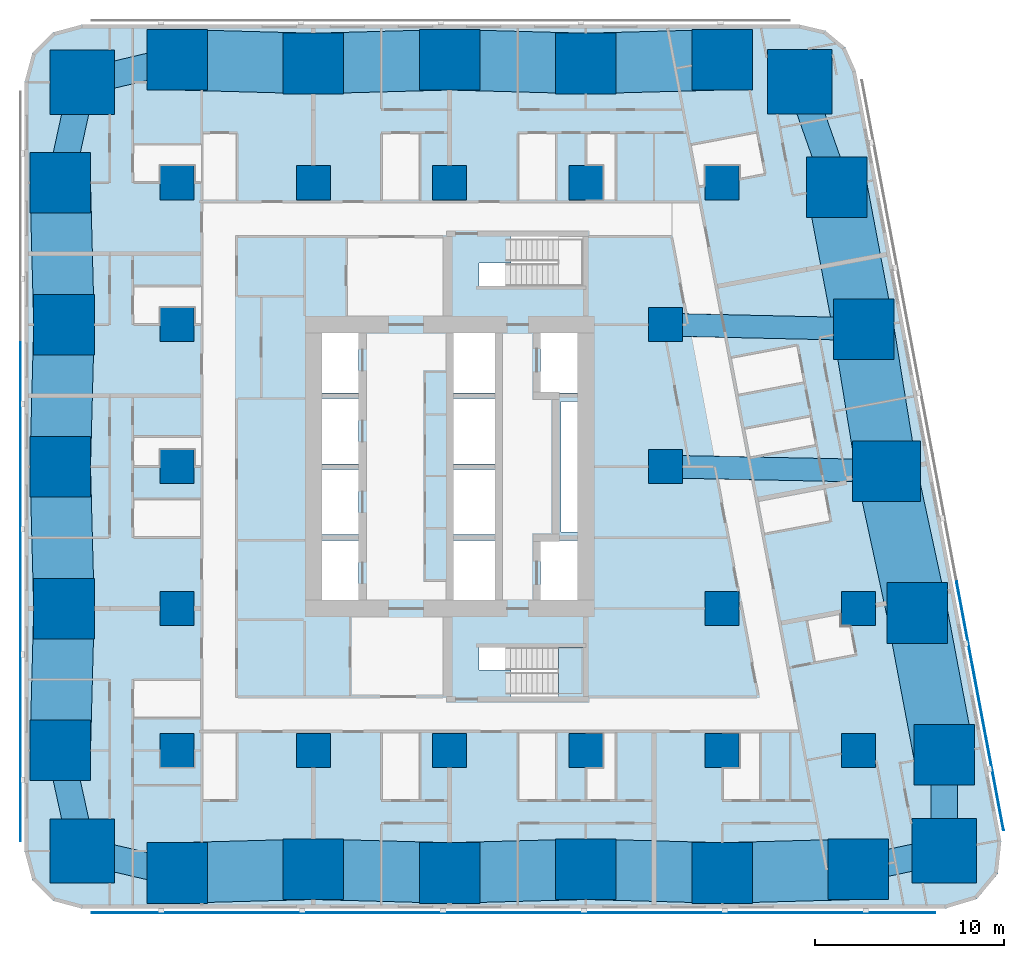
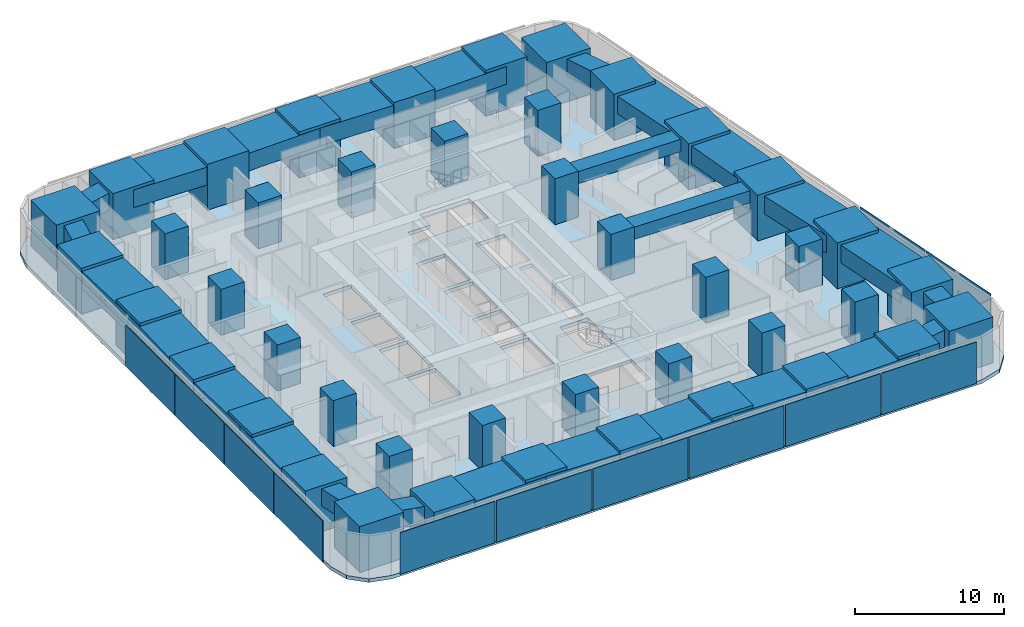
# One storey, part 1 of 18: 43 columns, 26 beams, 12 plates, 2 slabs, 1 element without a shape of its own.
"""IFC4 building model written with IfcOpenShell, lengths in metres."""

from ifc_helpers import new_model, si_unit, direction, frame, origin, origin_2d, place, context, subcontext, project, spatial, polyline, rectangle, hollow_rectangle, outline, extrude, material, layer, layer_set, material_profile, profile_set, type_object, element, aggregate, save


model = new_model("IFC4")

# Units and contexts
model_context = context("Model", 3, precision=1e-05, world=origin(), true_north=direction((0.0, 1.0)))
body_context = subcontext(model_context, "Body", "Model", "MODEL_VIEW")
ifc_project = project(units=[si_unit("LENGTHUNIT", "METRE"), si_unit("AREAUNIT", "SQUARE_METRE"), si_unit("VOLUMEUNIT", "CUBIC_METRE"), si_unit("PLANEANGLEUNIT", "RADIAN"), si_unit("MASSUNIT", "GRAM", prefix="KILO")], contexts=[model_context])

# Site, building, storey
site_placement = place(None, origin())
site = spatial("IfcSite", under=ifc_project, at=site_placement, CompositionType="ELEMENT")
building_placement = place(site_placement, origin())
building = spatial("IfcBuilding", under=site, at=building_placement, Name="Sheger Commons Tower", CompositionType="ELEMENT")
storey_placement = place(building_placement, frame((0.0, 0.0, 20.0)))
storey = spatial("IfcBuildingStorey", under=building, at=storey_placement, Name="L04", CompositionType="ELEMENT", Elevation=20.0)

# Columns
ifc_material_1 = material(Name="Concrete C50/60", Category="concrete")
ifc_material_profile_1 = material_profile(ifc_material_1, rectangle(XDim=3.60009765625, YDim=3.199951171875, at=origin_2d()), Name="RC 3600x3200")
ifc_profile_set_1 = profile_set([ifc_material_profile_1], Name="Concrete C50/60")
column_type_1 = type_object("IfcColumnType", Name="COLUMN PIER RC 3600x3200", PredefinedType="COLUMN", material=ifc_profile_set_1)
column_1_placement = place(storey_placement, frame((44.697021484375, 22.262939453125, 0.0), z_axis=(0.0, 0.0, 1.0), x_axis=(1.0, 0.0, 0.0)))
element("IfcColumn", 1, at=column_1_placement, inside=storey, type_object=column_type_1, Name="Pier 7/D+E/D L04", PredefinedType="COLUMN", context=body_context, shape_type="SweptSolid", body=[
    extrude(rectangle(XDim=3.60009765625, YDim=3.199951171875, at=origin_2d()), origin(), (0.0, 0.0, 1.0), 3.75),
])
ifc_material_2 = material(Name="Concrete C50/60", Category="concrete")
ifc_material_profile_2 = material_profile(ifc_material_2, rectangle(XDim=1.800048828125, YDim=1.800048828125, at=origin_2d()), Name="RC 1800x1800")
ifc_profile_set_2 = profile_set([ifc_material_profile_2], Name="Concrete C50/60")
column_type_2 = type_object("IfcColumnType", Name="COLUMN RC 1800x1800", PredefinedType="COLUMN", material=ifc_profile_set_2)
for number, where, z_axis, x_axis, name in (
    (2, (7.199951171875, 7.5, 0.0), (0.0, 0.0, 1.0), (1.0, 0.0, 0.0), "Column 2/B L04"),
    (3, (14.39990234375, 7.5, 0.0), (0.0, 0.0, 1.0), (1.0, 0.0, 0.0), "Column 3/B L04"),
    (4, (21.60009765625, 7.5, 0.0), (0.0, 0.0, 1.0), (1.0, 0.0, 0.0), "Column 4/B L04"),
    (5, (28.800048828125, 7.5, 0.0), (0.0, 0.0, 1.0), (1.0, 0.0, 0.0), "Column 5/B L04"),
    (6, (36.0, 7.5, 0.0), (0.0, 0.0, 1.0), (1.0, 0.0, 0.0), "Column 6/B L04"),
    (7, (43.199951171875, 7.5, 0.0), (0.0, 0.0, 1.0), (1.0, 0.0, 0.0), "Column 7/B L04"),
    (8, (7.199951171875, 15.0, 0.0), (0.0, 0.0, 1.0), (1.0, 0.0, 0.0), "Column 2/C L04"),
    (9, (36.0, 15.0, 0.0), (0.0, 0.0, 1.0), (1.0, 0.0, 0.0), "Column 6/C L04"),
    (10, (43.199951171875, 15.0, 0.0), (0.0, 0.0, 1.0), (1.0, 0.0, 0.0), "Column 7/C L04"),
    (11, (7.199951171875, 22.5, 0.0), (0.0, 0.0, 1.0), (1.0, 0.0, 0.0), "Column 2/D L04"),
    (12, (33.0, 22.5, 0.0), (0.0, 0.0, 1.0), (1.0, 0.0, 0.0), "Column 6-3000/D L04"),
    (13, (7.199951171875, 30.0, 0.0), (0.0, 0.0, 1.0), (1.0, 0.0, 0.0), "Column 2/E L04"),
    (14, (33.0, 30.0, 0.0), (0.0, 0.0, 1.0), (1.0, 0.0, 0.0), "Column 6-3000/E L04"),
    (15, (7.199951171875, 37.5, 0.0), (0.0, 0.0, 1.0), (1.0, 0.0, 0.0), "Column 2/F L04"),
    (16, (14.39990234375, 37.5, 0.0), (0.0, 0.0, 1.0), (1.0, 0.0, 0.0), "Column 3/F L04"),
    (17, (21.60009765625, 37.5, 0.0), (0.0, 0.0, 1.0), (1.0, 0.0, 0.0), "Column 4/F L04"),
    (18, (28.800048828125, 37.5, 0.0), (0.0, 0.0, 1.0), (1.0, 0.0, 0.0), "Column 5/F L04"),
    (19, (36.0, 37.5, 0.0), (0.0, 0.0, 1.0), (1.0, 0.0, 0.0), "Column 6/F L04"),
):
    element("IfcColumn", number, at=place(storey_placement, frame(where, z_axis=z_axis, x_axis=x_axis)), inside=storey, type_object=column_type_2, Name=name, PredefinedType="COLUMN", context=body_context, shape_type="SweptSolid", body=[
        extrude(rectangle(XDim=1.800048828125, YDim=1.800048828125, at=origin_2d()), origin(), (0.0, 0.0, 1.0), 3.75),
    ])
ifc_material_3 = material(Name="Concrete C50/60", Category="concrete")
ifc_material_profile_3 = material_profile(ifc_material_3, rectangle(XDim=3.199951171875, YDim=3.199951171875, at=origin_2d()), Name="RC 3200x3200")
ifc_profile_set_3 = profile_set([ifc_material_profile_3], Name="Concrete C50/60")
column_type_3 = type_object("IfcColumnType", Name="COLUMN RC 3200x3200", PredefinedType="COLUMN", material=ifc_profile_set_3)
column_2_placement = place(storey_placement, frame((7.199951171875, 1.02490234375, -0.300048828125), z_axis=(0.0, 0.0, 1.0), x_axis=(1.0, 0.0, 0.0)))
element("IfcColumn", 20, at=column_2_placement, inside=storey, type_object=column_type_3, Name="Column 2/A L04", PredefinedType="COLUMN", context=body_context, shape_type="SweptSolid", body=[
    extrude(rectangle(XDim=3.199951171875, YDim=3.199951171875, at=origin_2d()), origin(), (0.0, 0.0, 1.0), 4.050048828125),
])
column_3_placement = place(storey_placement, frame((14.39990234375, 1.22509765625, 0.0), z_axis=(0.0, 0.0, 1.0), x_axis=(1.0, 0.0, 0.0)))
element("IfcColumn", 21, at=column_3_placement, inside=storey, type_object=column_type_3, Name="Column 3/A L04", PredefinedType="COLUMN", context=body_context, shape_type="SweptSolid", body=[
    extrude(rectangle(XDim=3.199951171875, YDim=3.199951171875, at=origin_2d()), origin(), (0.0, 0.0, 1.0), 3.75),
])
column_4_placement = place(storey_placement, frame((21.60009765625, 1.02490234375, -0.300048828125), z_axis=(0.0, 0.0, 1.0), x_axis=(1.0, 0.0, 0.0)))
element("IfcColumn", 22, at=column_4_placement, inside=storey, type_object=column_type_3, Name="Column 4/A L04", PredefinedType="COLUMN", context=body_context, shape_type="SweptSolid", body=[
    extrude(rectangle(XDim=3.199951171875, YDim=3.199951171875, at=origin_2d()), origin(), (0.0, 0.0, 1.0), 4.050048828125),
])
column_5_placement = place(storey_placement, frame((28.800048828125, 1.22509765625, 0.0), z_axis=(0.0, 0.0, 1.0), x_axis=(1.0, 0.0, 0.0)))
element("IfcColumn", 23, at=column_5_placement, inside=storey, type_object=column_type_3, Name="Column 5/A L04", PredefinedType="COLUMN", context=body_context, shape_type="SweptSolid", body=[
    extrude(rectangle(XDim=3.199951171875, YDim=3.199951171875, at=origin_2d()), origin(), (0.0, 0.0, 1.0), 3.75),
])
column_6_placement = place(storey_placement, frame((36.0, 1.02490234375, -0.300048828125), z_axis=(0.0, 0.0, 1.0), x_axis=(1.0, 0.0, 0.0)))
element("IfcColumn", 24, at=column_6_placement, inside=storey, type_object=column_type_3, Name="Column 6/A L04", PredefinedType="COLUMN", context=body_context, shape_type="SweptSolid", body=[
    extrude(rectangle(XDim=3.199951171875, YDim=3.199951171875, at=origin_2d()), origin(), (0.0, 0.0, 1.0), 4.050048828125),
])
column_7_placement = place(storey_placement, frame((43.199951171875, 1.22509765625, 0.0), z_axis=(0.0, 0.0, 1.0), x_axis=(1.0, 0.0, 0.0)))
element("IfcColumn", 25, at=column_7_placement, inside=storey, type_object=column_type_3, Name="Column 7/A L04", PredefinedType="COLUMN", context=body_context, shape_type="SweptSolid", body=[
    extrude(rectangle(XDim=3.199951171875, YDim=3.199951171875, at=origin_2d()), origin(), (0.0, 0.0, 1.0), 3.75),
])
for number, where, z_axis, x_axis, name in (
    (26, (1.02490234375, 7.5, -0.300048828125), (0.0, 0.0, 1.0), (1.0, 0.0, 0.0), "Column 1/B L04"),
    (27, (47.72998046875, 7.262939453125, -0.300048828125), (0.0, 0.0, 1.0), (1.0, 0.0, 0.0), "Column E/B L04"),
):
    element("IfcColumn", number, at=place(storey_placement, frame(where, z_axis=z_axis, x_axis=x_axis)), inside=storey, type_object=column_type_3, Name=name, PredefinedType="COLUMN", context=body_context, shape_type="SweptSolid", body=[
        extrude(rectangle(XDim=3.199951171875, YDim=3.199951171875, at=origin_2d()), origin(), (0.0, 0.0, 1.0), 4.050048828125),
    ])
for number, where, z_axis, x_axis, name in (
    (28, (1.22509765625, 15.0, 0.0), (0.0, 0.0, 1.0), (1.0, 0.0, 0.0), "Column 1/C L04"),
    (29, (46.31396484375, 14.762939453125, 0.0), (0.0, 0.0, 1.0), (1.0, 0.0, 0.0), "Column E/C L04"),
):
    element("IfcColumn", number, at=place(storey_placement, frame(where, z_axis=z_axis, x_axis=x_axis)), inside=storey, type_object=column_type_3, Name=name, PredefinedType="COLUMN", context=body_context, shape_type="SweptSolid", body=[
        extrude(rectangle(XDim=3.199951171875, YDim=3.199951171875, at=origin_2d()), origin(), (0.0, 0.0, 1.0), 3.75),
    ])
column_8_placement = place(storey_placement, frame((1.02490234375, 22.5, -0.300048828125), z_axis=(0.0, 0.0, 1.0), x_axis=(1.0, 0.0, 0.0)))
element("IfcColumn", 30, at=column_8_placement, inside=storey, type_object=column_type_3, Name="Column 1/D L04", PredefinedType="COLUMN", context=body_context, shape_type="SweptSolid", body=[
    extrude(rectangle(XDim=3.199951171875, YDim=3.199951171875, at=origin_2d()), origin(), (0.0, 0.0, 1.0), 4.050048828125),
])
for number, where, z_axis, x_axis, name in (
    (31, (1.22509765625, 30.0, 0.0), (0.0, 0.0, 1.0), (1.0, 0.0, 0.0), "Column 1/E L04"),
    (32, (43.47998046875, 29.762939453125, 0.0), (0.0, 0.0, 1.0), (1.0, 0.0, 0.0), "Column E/E L04"),
):
    element("IfcColumn", number, at=place(storey_placement, frame(where, z_axis=z_axis, x_axis=x_axis)), inside=storey, type_object=column_type_3, Name=name, PredefinedType="COLUMN", context=body_context, shape_type="SweptSolid", body=[
        extrude(rectangle(XDim=3.199951171875, YDim=3.199951171875, at=origin_2d()), origin(), (0.0, 0.0, 1.0), 3.75),
    ])
for number, where, z_axis, x_axis, name in (
    (33, (1.02490234375, 37.5, -0.300048828125), (0.0, 0.0, 1.0), (1.0, 0.0, 0.0), "Column 1/F L04"),
    (34, (42.06396484375, 37.262939453125, -0.300048828125), (0.0, 0.0, 1.0), (1.0, 0.0, 0.0), "Column E/F L04"),
    (35, (7.199951171875, 44.0, -0.300048828125), (0.0, 0.0, 1.0), (1.0, 0.0, 0.0), "Column 2/G L04"),
):
    element("IfcColumn", number, at=place(storey_placement, frame(where, z_axis=z_axis, x_axis=x_axis)), inside=storey, type_object=column_type_3, Name=name, PredefinedType="COLUMN", context=body_context, shape_type="SweptSolid", body=[
        extrude(rectangle(XDim=3.199951171875, YDim=3.199951171875, at=origin_2d()), origin(), (0.0, 0.0, 1.0), 4.050048828125),
    ])
column_9_placement = place(storey_placement, frame((14.39990234375, 43.800048828125, 0.0), z_axis=(0.0, 0.0, 1.0), x_axis=(1.0, 0.0, 0.0)))
element("IfcColumn", 36, at=column_9_placement, inside=storey, type_object=column_type_3, Name="Column 3/G L04", PredefinedType="COLUMN", context=body_context, shape_type="SweptSolid", body=[
    extrude(rectangle(XDim=3.199951171875, YDim=3.199951171875, at=origin_2d()), origin(), (0.0, 0.0, 1.0), 3.75),
])
column_10_placement = place(storey_placement, frame((21.60009765625, 44.0, -0.300048828125), z_axis=(0.0, 0.0, 1.0), x_axis=(1.0, 0.0, 0.0)))
element("IfcColumn", 37, at=column_10_placement, inside=storey, type_object=column_type_3, Name="Column 4/G L04", PredefinedType="COLUMN", context=body_context, shape_type="SweptSolid", body=[
    extrude(rectangle(XDim=3.199951171875, YDim=3.199951171875, at=origin_2d()), origin(), (0.0, 0.0, 1.0), 4.050048828125),
])
column_11_placement = place(storey_placement, frame((28.800048828125, 43.800048828125, 0.0), z_axis=(0.0, 0.0, 1.0), x_axis=(1.0, 0.0, 0.0)))
element("IfcColumn", 38, at=column_11_placement, inside=storey, type_object=column_type_3, Name="Column 5/G L04", PredefinedType="COLUMN", context=body_context, shape_type="SweptSolid", body=[
    extrude(rectangle(XDim=3.199951171875, YDim=3.199951171875, at=origin_2d()), origin(), (0.0, 0.0, 1.0), 3.75),
])
column_12_placement = place(storey_placement, frame((36.0, 44.0, -0.300048828125), z_axis=(0.0, 0.0, 1.0), x_axis=(1.0, 0.0, 0.0)))
element("IfcColumn", 39, at=column_12_placement, inside=storey, type_object=column_type_3, Name="Column 6/G L04", PredefinedType="COLUMN", context=body_context, shape_type="SweptSolid", body=[
    extrude(rectangle(XDim=3.199951171875, YDim=3.199951171875, at=origin_2d()), origin(), (0.0, 0.0, 1.0), 4.050048828125),
])
ifc_material_4 = material(Name="Concrete C50/60", Category="concrete")
ifc_material_profile_4 = material_profile(ifc_material_4, rectangle(XDim=3.39990234375, YDim=3.39990234375, at=origin_2d()), Name="RC 3400x3400")
ifc_profile_set_4 = profile_set([ifc_material_profile_4], Name="Concrete C50/60")
column_type_4 = type_object("IfcColumnType", Name="COLUMN RC 3400x3400", PredefinedType="COLUMN", material=ifc_profile_set_4)
for number, where, z_axis, x_axis, name in (
    (40, (2.18603515625, 2.18603515625, 0.0), (0.0, 0.0, 1.0), (1.0, 0.0, 0.0), "Column 0.630,0.630 L04"),
    (41, (47.748046875, 2.197021484375, 0.0), (0.0, 0.0, 1.0), (1.0, 0.0, 0.0), "Column 49.461,0.778 L04"),
    (42, (2.18603515625, 42.81396484375, 0.0), (0.0, 0.0, 1.0), (1.0, 0.0, 0.0), "Column 0.630,44.370 L04"),
    (43, (40.10205078125, 42.830078125, 0.0), (0.0, 0.0, 1.0), (1.0, 0.0, 0.0), "Column 41.490,44.505 L04"),
):
    element("IfcColumn", number, at=place(storey_placement, frame(where, z_axis=z_axis, x_axis=x_axis)), inside=storey, type_object=column_type_4, Name=name, PredefinedType="COLUMN", context=body_context, shape_type="SweptSolid", body=[
        extrude(rectangle(XDim=3.39990234375, YDim=3.39990234375, at=origin_2d()), origin(), (0.0, 0.0, 1.0), 3.75),
    ])

# Beams
ifc_material_5 = material(Name="Concrete C50/60", Category="concrete")
ifc_material_profile_5 = material_profile(ifc_material_5, rectangle(XDim=1.199951171875, YDim=1.0, at=origin_2d()), Name="RC 1200x1000")
ifc_profile_set_5 = profile_set([ifc_material_profile_5], Name="Concrete C50/60")
beam_type_1 = type_object("IfcBeamType", Name="BEAM RC 1200x1000", PredefinedType="BEAM", material=ifc_profile_set_5)
beam_1_placement = place(storey_placement, frame((33.0, 22.5, 3.0), z_axis=(0.999794692776, -0.02026258368, 0.0), x_axis=(0.02026258368, 0.999794692776, 0.0)))
element("IfcBeam", 44, at=beam_1_placement, inside=storey, type_object=beam_type_1, Name="Beam 6-3000/D-7/D under L05", PredefinedType="BEAM", context=body_context, shape_type="SweptSolid", body=[
    extrude(rectangle(XDim=1.199951171875, YDim=1.0, at=origin_2d()), origin(), (0.0, 0.0, 1.0), 11.699462890625),
])
beam_2_placement = place(storey_placement, frame((33.0, 30.0, 3.0), z_axis=(0.999744258625, -0.022614538395, 0.0), x_axis=(0.022614538395, 0.999744258625, 0.0)))
element("IfcBeam", 45, at=beam_2_placement, inside=storey, type_object=beam_type_1, Name="Beam 6-3000/E-E/E under L05", PredefinedType="BEAM", context=body_context, shape_type="SweptSolid", body=[
    extrude(rectangle(XDim=1.199951171875, YDim=1.0, at=origin_2d()), origin(), (0.0, 0.0, 1.0), 10.482666015625),
])
ifc_material_6 = material(Name="Concrete C50/60", Category="concrete")
ifc_material_profile_6 = material_profile(ifc_material_6, rectangle(XDim=3.199951171875, YDim=1.449951171875, at=origin_2d()), Name="RC 3200x1450")
ifc_profile_set_6 = profile_set([ifc_material_profile_6], Name="Concrete C50/60")
beam_type_2 = type_object("IfcBeamType", Name="SPANDREL RC 3200x1450", PredefinedType="SPANDREL", material=ifc_profile_set_6)
beam_3_placement = place(storey_placement, frame((7.199951171875, 1.02490234375, 2.77490234375), z_axis=(0.9996136624, 0.027794350926, 0.0), x_axis=(-0.027794350926, 0.9996136624, 0.0)))
element("IfcBeam", 46, at=beam_3_placement, inside=storey, type_object=beam_type_2, Name="Beam 2/A-3/A under L05", PredefinedType="SPANDREL", context=body_context, shape_type="SweptSolid", body=[
    extrude(rectangle(XDim=3.199951171875, YDim=1.449951171875, at=origin_2d()), origin(), (0.0, 0.0, 1.0), 7.20263671875),
])
beam_4_placement = place(storey_placement, frame((14.39990234375, 1.22509765625, 2.77490234375), z_axis=(0.999613688584, -0.027793409217, 0.0), x_axis=(0.027793409217, 0.999613688584, 0.0)))
element("IfcBeam", 47, at=beam_4_placement, inside=storey, type_object=beam_type_2, Name="Beam 3/A-4/A under L05", PredefinedType="SPANDREL", context=body_context, shape_type="SweptSolid", body=[
    extrude(rectangle(XDim=3.199951171875, YDim=1.449951171875, at=origin_2d()), origin(), (0.0, 0.0, 1.0), 7.202880859375),
])
for number, where, z_axis, x_axis, name in (
    (48, (21.60009765625, 1.02490234375, 2.77490234375), (0.9996136624, 0.027794350926, 0.0), (-0.027794350926, 0.9996136624, 0.0), "Beam 4/A-5/A under L05"),
    (49, (28.800048828125, 1.22509765625, 2.77490234375), (0.9996136624, -0.027794350926, 0.0), (0.027794350926, 0.9996136624, 0.0), "Beam 5/A-6/A under L05"),
    (50, (36.0, 1.02490234375, 2.77490234375), (0.9996136624, 0.027794350926, 0.0), (-0.027794350926, 0.9996136624, 0.0), "Beam 6/A-7/A under L05"),
):
    element("IfcBeam", number, at=place(storey_placement, frame(where, z_axis=z_axis, x_axis=x_axis)), inside=storey, type_object=beam_type_2, Name=name, PredefinedType="SPANDREL", context=body_context, shape_type="SweptSolid", body=[
        extrude(rectangle(XDim=3.199951171875, YDim=1.449951171875, at=origin_2d()), origin(), (0.0, 0.0, 1.0), 7.20263671875),
    ])
beam_5_placement = place(storey_placement, frame((47.72998046875, 7.262939453125, 2.77490234375), z_axis=(-0.18552441405, 0.982639655108, 0.0), x_axis=(-0.982639655108, -0.18552441405, 0.0)))
element("IfcBeam", 51, at=beam_5_placement, inside=storey, type_object=beam_type_2, Name="Beam E/B-E/C under L05", PredefinedType="SPANDREL", context=body_context, shape_type="SweptSolid", body=[
    extrude(rectangle(XDim=3.199951171875, YDim=1.449951171875, at=origin_2d()), origin(), (0.0, 0.0, 1.0), 7.632568359375),
])
beam_6_placement = place(storey_placement, frame((46.31396484375, 14.762939453125, 2.77490234375), z_axis=(-0.210750229323, 0.977539943348, 0.0), x_axis=(-0.977539943348, -0.210750229323, 0.0)))
element("IfcBeam", 52, at=beam_6_placement, inside=storey, type_object=beam_type_2, Name="Beam E/C-E/D under L05", PredefinedType="SPANDREL", context=body_context, shape_type="SweptSolid", body=[
    extrude(rectangle(XDim=3.199951171875, YDim=1.449951171875, at=origin_2d()), origin(), (0.0, 0.0, 1.0), 7.67236328125),
])
beam_7_placement = place(storey_placement, frame((44.697021484375, 22.262939453125, 2.77490234375), z_axis=(-0.160176929512, 0.987088319884, 0.0), x_axis=(-0.987088319884, -0.160176929512, 0.0)))
element("IfcBeam", 53, at=beam_7_placement, inside=storey, type_object=beam_type_2, Name="Beam E/D-E/E under L05", PredefinedType="SPANDREL", context=body_context, shape_type="SweptSolid", body=[
    extrude(rectangle(XDim=3.199951171875, YDim=1.449951171875, at=origin_2d()), origin(), (0.0, 0.0, 1.0), 7.59814453125),
])
beam_8_placement = place(storey_placement, frame((43.47998046875, 29.762939453125, 2.77490234375), z_axis=(-0.18552441405, 0.982639655108, 0.0), x_axis=(-0.982639655108, -0.18552441405, 0.0)))
element("IfcBeam", 54, at=beam_8_placement, inside=storey, type_object=beam_type_2, Name="Beam E/E-E/F under L05", PredefinedType="SPANDREL", context=body_context, shape_type="SweptSolid", body=[
    extrude(rectangle(XDim=3.199951171875, YDim=1.449951171875, at=origin_2d()), origin(), (0.0, 0.0, 1.0), 7.632568359375),
])
for number, where, z_axis, x_axis, name in (
    (55, (36.0, 44.0, 2.77490234375), (-0.999614603568, -0.027760481514, 0.0), (0.027760481514, -0.999614603568, 0.0), "Beam 6/G-5/G under L05"),
    (56, (28.800048828125, 43.800048828125, 2.77490234375), (-0.999614603568, 0.027760481514, 0.0), (-0.027760481514, -0.999614603568, 0.0), "Beam 5/G-4/G under L05"),
):
    element("IfcBeam", number, at=place(storey_placement, frame(where, z_axis=z_axis, x_axis=x_axis)), inside=storey, type_object=beam_type_2, Name=name, PredefinedType="SPANDREL", context=body_context, shape_type="SweptSolid", body=[
        extrude(rectangle(XDim=3.199951171875, YDim=1.449951171875, at=origin_2d()), origin(), (0.0, 0.0, 1.0), 7.20263671875),
    ])
beam_9_placement = place(storey_placement, frame((21.60009765625, 44.0, 2.77490234375), z_axis=(-0.999614629688, -0.027759540951, 0.0), x_axis=(0.027759540951, -0.999614629688, 0.0)))
element("IfcBeam", 57, at=beam_9_placement, inside=storey, type_object=beam_type_2, Name="Beam 4/G-3/G under L05", PredefinedType="SPANDREL", context=body_context, shape_type="SweptSolid", body=[
    extrude(rectangle(XDim=3.199951171875, YDim=1.449951171875, at=origin_2d()), origin(), (0.0, 0.0, 1.0), 7.202880859375),
])
beam_10_placement = place(storey_placement, frame((14.39990234375, 43.800048828125, 2.77490234375), z_axis=(-0.999614603568, 0.027760481514, 0.0), x_axis=(-0.027760481514, -0.999614603568, 0.0)))
element("IfcBeam", 58, at=beam_10_placement, inside=storey, type_object=beam_type_2, Name="Beam 3/G-2/G under L05", PredefinedType="SPANDREL", context=body_context, shape_type="SweptSolid", body=[
    extrude(rectangle(XDim=3.199951171875, YDim=1.449951171875, at=origin_2d()), origin(), (0.0, 0.0, 1.0), 7.20263671875),
])
for number, where, z_axis, x_axis, name in (
    (59, (1.02490234375, 37.5, 2.77490234375), (0.026683204125, -0.999643939919, 0.0), (0.999643939919, 0.026683204125, 0.0), "Beam 1/F-1/E under L05"),
    (60, (1.22509765625, 30.0, 2.77490234375), (-0.026683204125, -0.999643939919, 0.0), (0.999643939919, -0.026683204125, 0.0), "Beam 1/E-1/D under L05"),
    (61, (1.02490234375, 22.5, 2.77490234375), (0.026683204125, -0.999643939919, 0.0), (0.999643939919, 0.026683204125, 0.0), "Beam 1/D-1/C under L05"),
    (62, (1.22509765625, 15.0, 2.77490234375), (-0.026683204125, -0.999643939919, 0.0), (0.999643939919, -0.026683204125, 0.0), "Beam 1/C-1/B under L05"),
):
    element("IfcBeam", number, at=place(storey_placement, frame(where, z_axis=z_axis, x_axis=x_axis)), inside=storey, type_object=beam_type_2, Name=name, PredefinedType="SPANDREL", context=body_context, shape_type="SweptSolid", body=[
        extrude(rectangle(XDim=3.199951171875, YDim=1.449951171875, at=origin_2d()), origin(), (0.0, 0.0, 1.0), 7.502685546875),
    ])
ifc_material_7 = material(Name="Steel S355", Category="steel")
ifc_material_profile_7 = material_profile(ifc_material_7, hollow_rectangle(XDim=1.39990234375, YDim=1.39990234375, WallThickness=0.10009765625, at=origin_2d()), Name="BOX 1400x1400x100")
ifc_profile_set_7 = profile_set([ifc_material_profile_7], Name="Steel S355")
beam_type_3 = type_object("IfcBeamType", Name="STEEL SPANDREL BOX 1400x1400x100", PredefinedType="SPANDREL", material=ifc_profile_set_7)
beam_11_placement = place(storey_placement, frame((2.18603515625, 2.18603515625, 2.800048828125), z_axis=(0.974217413499, -0.225611239159, 0.0), x_axis=(0.225611239159, 0.974217413499, 0.0)))
element("IfcBeam", 63, at=beam_11_placement, inside=storey, type_object=beam_type_3, Name="Beam 0.630,0.630-2/A under L05", PredefinedType="SPANDREL", context=body_context, shape_type="SweptSolid", body=[
    extrude(hollow_rectangle(XDim=1.39990234375, YDim=1.39990234375, WallThickness=0.10009765625, at=origin_2d()), origin(), (0.0, 0.0, 1.0), 5.146728515625),
])
beam_12_placement = place(storey_placement, frame((43.199951171875, 1.22509765625, 2.800048828125), z_axis=(0.977919796671, 0.208980552394, 0.0), x_axis=(-0.208980552394, 0.977919796671, 0.0)))
element("IfcBeam", 64, at=beam_12_placement, inside=storey, type_object=beam_type_3, Name="Beam 7/A-49.461,0.778 under L05", PredefinedType="SPANDREL", context=body_context, shape_type="SweptSolid", body=[
    extrude(hollow_rectangle(XDim=1.39990234375, YDim=1.39990234375, WallThickness=0.10009765625, at=origin_2d()), origin(), (0.0, 0.0, 1.0), 4.65087890625),
])
beam_13_placement = place(storey_placement, frame((47.748046875, 2.197021484375, 2.800048828125), z_axis=(-0.003566242382, 0.999993640937, 0.0), x_axis=(-0.999993640937, -0.003566242382, 0.0)))
element("IfcBeam", 65, at=beam_13_placement, inside=storey, type_object=beam_type_3, Name="Beam 49.461,0.778-E/B under L05", PredefinedType="SPANDREL", context=body_context, shape_type="SweptSolid", body=[
    extrude(hollow_rectangle(XDim=1.39990234375, YDim=1.39990234375, WallThickness=0.10009765625, at=origin_2d()), origin(), (0.0, 0.0, 1.0), 5.06591796875),
])
beam_14_placement = place(storey_placement, frame((42.06396484375, 37.262939453125, 2.800048828125), z_axis=(-0.332374403357, 0.943147526102, 0.0), x_axis=(-0.943147526102, -0.332374403357, 0.0)))
element("IfcBeam", 66, at=beam_14_placement, inside=storey, type_object=beam_type_3, Name="Beam E/F-41.490,44.505 under L05", PredefinedType="SPANDREL", context=body_context, shape_type="SweptSolid", body=[
    extrude(hollow_rectangle(XDim=1.39990234375, YDim=1.39990234375, WallThickness=0.10009765625, at=origin_2d()), origin(), (0.0, 0.0, 1.0), 5.90283203125),
])
beam_15_placement = place(storey_placement, frame((7.199951171875, 44.0, 2.800048828125), z_axis=(-0.97314428949, -0.230195985701, 0.0), x_axis=(0.230195985701, -0.97314428949, 0.0)))
element("IfcBeam", 67, at=beam_15_placement, inside=storey, type_object=beam_type_3, Name="Beam 2/G-0.630,44.370 under L05", PredefinedType="SPANDREL", context=body_context, shape_type="SweptSolid", body=[
    extrude(hollow_rectangle(XDim=1.39990234375, YDim=1.39990234375, WallThickness=0.10009765625, at=origin_2d()), origin(), (0.0, 0.0, 1.0), 5.15234375),
])
for number, where, z_axis, x_axis, name in (
    (68, (2.18603515625, 42.81396484375, 2.800048828125), (-0.213469314652, -0.976949769283, 0.0), (0.976949769283, -0.213469314652, 0.0), "Beam 0.630,44.370-1/F under L05"),
    (69, (1.02490234375, 7.5, 2.800048828125), (0.213469314652, -0.976949769283, 0.0), (0.976949769283, 0.213469314652, 0.0), "Beam 1/B-0.630,0.630 under L05"),
):
    element("IfcBeam", number, at=place(storey_placement, frame(where, z_axis=z_axis, x_axis=x_axis)), inside=storey, type_object=beam_type_3, Name=name, PredefinedType="SPANDREL", context=body_context, shape_type="SweptSolid", body=[
        extrude(hollow_rectangle(XDim=1.39990234375, YDim=1.39990234375, WallThickness=0.10009765625, at=origin_2d()), origin(), (0.0, 0.0, 1.0), 5.439453125),
    ])

# Slab
ifc_material_8 = material(Name="Concrete C35/45", Category="concrete")
ifc_layer_1 = layer(ifc_material_8, 0.300048828125)
ifc_layer_set_1 = layer_set([ifc_layer_1], Name="SLAB FLOOR 300")
slab_type_1 = type_object("IfcSlabType", Name="SLAB FLOOR 300", PredefinedType="FLOOR", material=ifc_layer_set_1)
slab_1_placement = place(storey_placement, frame((0.0, 0.0, -0.300048828125)))
element("IfcSlab", 70, at=slab_1_placement, inside=storey, type_object=slab_type_1, Name="L04 floor slab", PredefinedType="FLOOR", context=body_context, shape_type="SweptSolid", body=[
    extrude(outline(polyline([(-0.85009765625, 2.14990234375), (-0.447998046875, 0.64990234375), (0.64990234375, -0.447998046875), (2.14990234375, -0.85009765625), (47.805908203125, -0.85009765625), (49.465087890625, -0.35009765625), (50.570068359375, 0.98388671875), (50.75390625, 2.70703125), (43.06591796875, 43.406982421875), (42.509033203125, 44.660888671875), (41.452880859375, 45.535888671875), (40.117919921875, 45.85009765625), (2.14990234375, 45.85009765625), (0.64990234375, 45.447998046875), (-0.447998046875, 44.35009765625), (-0.85009765625, 42.85009765625), (-0.85009765625, 2.14990234375)]), holes=[polyline([(24.85009765625, 10.35009765625), (28.64990234375, 10.35009765625), (28.64990234375, 12.949951171875), (23.15087890625, 12.949951171875), (23.15087890625, 11.75), (24.85009765625, 11.75), (24.85009765625, 10.35009765625)]), polyline([(23.15087890625, 32.050048828125), (28.64990234375, 32.050048828125), (28.64990234375, 34.64990234375), (24.85009765625, 34.64990234375), (24.85009765625, 33.25), (23.15087890625, 33.25), (23.15087890625, 32.050048828125)]), polyline([(26.39990234375, 15.14990234375), (28.60009765625, 15.14990234375), (28.60009765625, 18.60009765625), (26.39990234375, 18.60009765625), (26.39990234375, 15.14990234375)]), polyline([(26.39990234375, 26.39990234375), (28.60009765625, 26.39990234375), (28.60009765625, 29.85009765625), (26.39990234375, 29.85009765625), (26.39990234375, 26.39990234375)]), polyline([(14.60009765625, 15.14990234375), (16.800048828125, 15.14990234375), (16.800048828125, 18.60009765625), (14.60009765625, 18.60009765625), (14.60009765625, 15.14990234375)]), polyline([(14.60009765625, 18.89990234375), (16.800048828125, 18.89990234375), (16.800048828125, 22.35009765625), (14.60009765625, 22.35009765625), (14.60009765625, 18.89990234375)]), polyline([(14.60009765625, 22.64990234375), (16.800048828125, 22.64990234375), (16.800048828125, 26.10009765625), (14.60009765625, 26.10009765625), (14.60009765625, 22.64990234375)]), polyline([(14.60009765625, 26.39990234375), (16.800048828125, 26.39990234375), (16.800048828125, 29.85009765625), (14.60009765625, 29.85009765625), (14.60009765625, 26.39990234375)]), polyline([(21.800048828125, 15.14990234375), (24.0, 15.14990234375), (24.0, 18.60009765625), (21.800048828125, 18.60009765625), (21.800048828125, 15.14990234375)]), polyline([(21.800048828125, 18.89990234375), (24.0, 18.89990234375), (24.0, 22.35009765625), (21.800048828125, 22.35009765625), (21.800048828125, 18.89990234375)]), polyline([(21.800048828125, 22.64990234375), (24.0, 22.64990234375), (24.0, 26.10009765625), (21.800048828125, 26.10009765625), (21.800048828125, 22.64990234375)]), polyline([(21.800048828125, 26.39990234375), (24.0, 26.39990234375), (24.0, 29.85009765625), (21.800048828125, 29.85009765625), (21.800048828125, 26.39990234375)]), polyline([(27.5, 19.050048828125), (28.5, 19.050048828125), (28.5, 25.949951171875), (27.5, 25.949951171875), (27.5, 19.050048828125)])]), origin(), (0.0, 0.0, 1.0), 0.300048828125),
])

# Plates
ifc_material_9 = material(Name="Perforated black anodised aluminium screen", Category="aluminium")
ifc_layer_2 = layer(ifc_material_9, 0.050048828125)
ifc_layer_set_2 = layer_set([ifc_layer_2], Name="SOLAR SCREEN SCREEN-1")
plate_type = type_object("IfcPlateType", Name="SOLAR SCREEN SCREEN-1", PredefinedType="USERDEFINED", material=ifc_layer_set_2)
for number, where, z_axis, x_axis, name in (
    (71, (6.37109375, -1.074951171875, 0.050048828125), (0.0, 0.0, 1.0), (1.0, 0.0, 0.0), "Perforated solar screen panel"),
    (72, (13.81396484375, -1.074951171875, 0.050048828125), (0.0, 0.0, 1.0), (1.0, 0.0, 0.0), "Perforated solar screen panel"),
    (73, (21.257080078125, -1.074951171875, 0.050048828125), (0.0, 0.0, 1.0), (1.0, 0.0, 0.0), "Perforated solar screen panel"),
    (74, (28.698974609375, -1.074951171875, 0.050048828125), (0.0, 0.0, 1.0), (1.0, 0.0, 0.0), "Perforated solar screen panel"),
    (75, (36.14208984375, -1.074951171875, 0.050048828125), (0.0, 0.0, 1.0), (1.0, 0.0, 0.0), "Perforated solar screen panel"),
    (76, (43.5849609375, -1.074951171875, 0.050048828125), (0.0, 0.0, 1.0), (1.0, 0.0, 0.0), "Perforated solar screen panel"),
):
    element("IfcPlate", number, at=place(storey_placement, frame(where, z_axis=z_axis, x_axis=x_axis)), inside=storey, type_object=plate_type, Name=name, ObjectType="SCREEN", PredefinedType="USERDEFINED", context=body_context, shape_type="SweptSolid", body=[
        extrude(rectangle(XDim=7.343017578125, YDim=0.050048828125, at=origin_2d()), origin(), (0.0, 0.0, 1.0), 3.39990234375),
    ])
for number, where, z_axis, x_axis, name in (
    (77, (50.257080078125, 6.550048828125, 0.050048828125), (0.0, 0.0, 1.0), (-0.185615165645, 0.982622516678, 0.0), "Perforated solar screen panel"),
    (78, (49.007080078125, 13.1689453125, 0.050048828125), (0.0, 0.0, 1.0), (-0.185615165645, 0.982622516678, 0.0), "Perforated solar screen panel"),
):
    element("IfcPlate", number, at=place(storey_placement, frame(where, z_axis=z_axis, x_axis=x_axis)), inside=storey, type_object=plate_type, Name=name, ObjectType="SCREEN", PredefinedType="USERDEFINED", context=body_context, shape_type="SweptSolid", body=[
        extrude(rectangle(XDim=6.636962890625, YDim=0.050048828125, at=origin_2d()), origin(), (0.0, 0.0, 1.0), 3.39990234375),
    ])
for number, where, z_axis, x_axis, name in (
    (79, (-1.074951171875, 25.80810546875, 0.050048828125), (0.0, 0.0, 1.0), (0.0, -1.0, 0.0), "Perforated solar screen panel"),
    (80, (-1.074951171875, 19.19189453125, 0.050048828125), (0.0, 0.0, 1.0), (0.0, -1.0, 0.0), "Perforated solar screen panel"),
    (81, (-1.074951171875, 12.574951171875, 0.050048828125), (0.0, 0.0, 1.0), (0.0, -1.0, 0.0), "Perforated solar screen panel"),
    (82, (-1.074951171875, 5.9580078125, 0.050048828125), (0.0, 0.0, 1.0), (0.0, -1.0, 0.0), "Perforated solar screen panel"),
):
    element("IfcPlate", number, at=place(storey_placement, frame(where, z_axis=z_axis, x_axis=x_axis)), inside=storey, type_object=plate_type, Name=name, ObjectType="SCREEN", PredefinedType="USERDEFINED", context=body_context, shape_type="SweptSolid", body=[
        extrude(rectangle(XDim=6.51708984375, YDim=0.050048828125, at=origin_2d()), origin(), (0.0, 0.0, 1.0), 3.39990234375),
    ])

# Stair, slab
ifc_material_10 = material(Name="Concrete C35/45", Category="concrete")
stair_type = type_object("IfcStairType", Name="HALF-TURN STAIR 1200 RISE 3750", PredefinedType="HALF_TURN_STAIR", material=ifc_material_10)
stair_placement = place(storey_placement, origin())
stair = element("IfcStair", 83, at=stair_placement, inside=storey, type_object=stair_type, Name="Stair S1 L04", PredefinedType="HALF_TURN_STAIR")
ifc_material_11 = material(Name="Concrete C35/45", Category="concrete")
ifc_layer_3 = layer(ifc_material_11, 0.199951171875)
ifc_layer_set_3 = layer_set([ifc_layer_3], Name="STAIR LANDING 200")
slab_type_2 = type_object("IfcSlabType", Name="STAIR LANDING 200", PredefinedType="LANDING", material=ifc_layer_set_3)
slab_2_placement = place(storey_placement, frame((0.0, 0.0, 1.675048828125)))
slab_2 = element("IfcSlab", 84, at=slab_2_placement, type_object=slab_type_2, Name="S1 landing 1", PredefinedType="LANDING", context=body_context, shape_type="SweptSolid", body=[
    extrude(outline(polyline([(27.35009765625, 10.199951171875), (28.800048828125, 10.199951171875), (28.800048828125, 12.949951171875), (27.35009765625, 12.949951171875), (27.35009765625, 10.199951171875)])), origin(), (0.0, 0.0, 1.0), 0.199951171875),
])
aggregate(stair, [slab_2])

save(model, "model.ifc")
